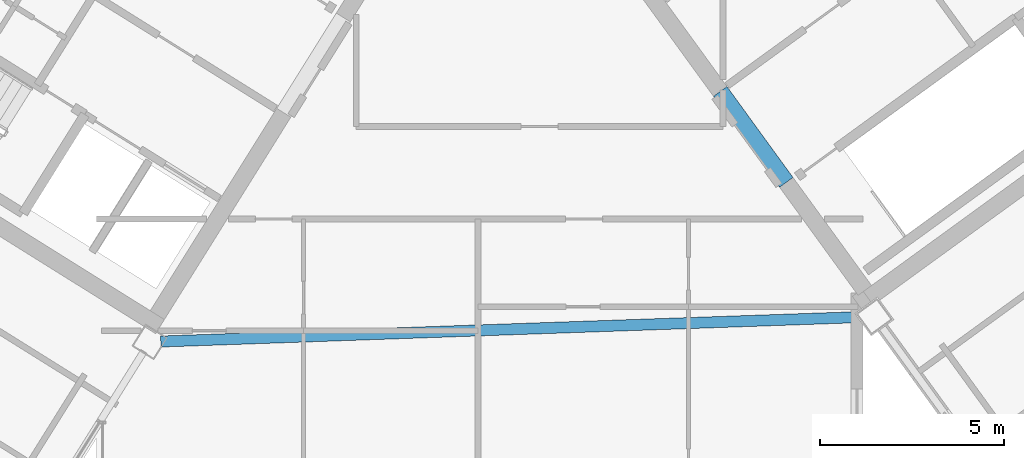
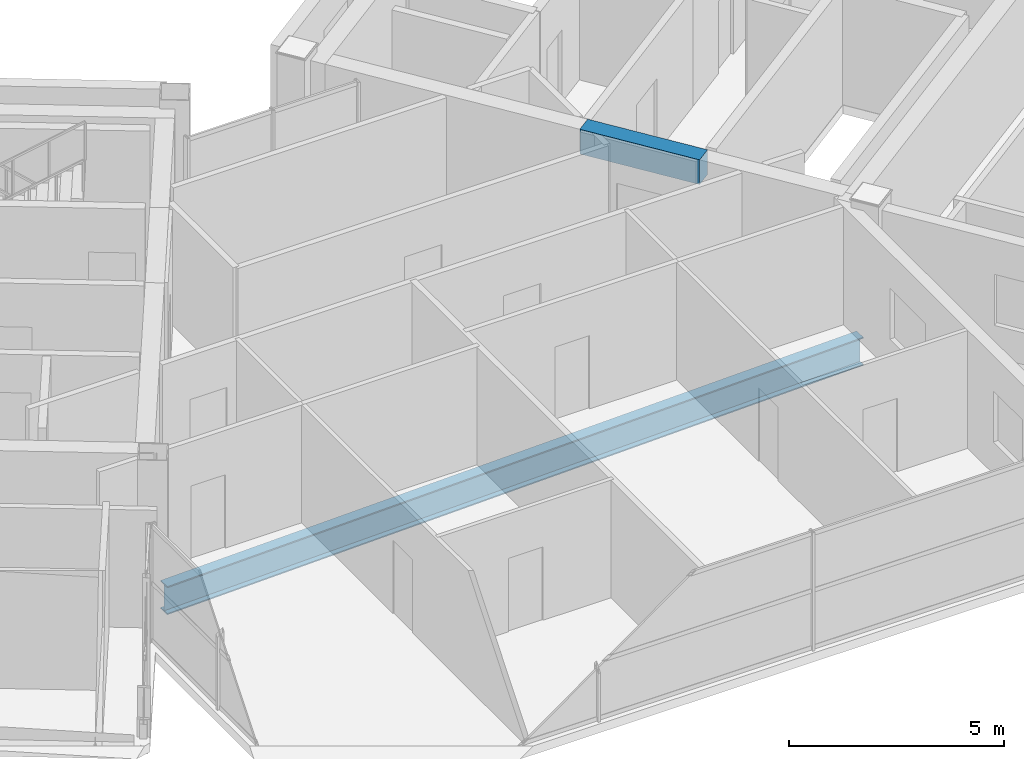
# One storey, part 9 of 25: 2 beams.
"""IFC4 building model written with IfcOpenShell, lengths in metres."""

from ifc_helpers import new_model, si_unit, direction, frame, origin, origin_2d, place, context, subcontext, project, spatial, rectangle, i_section, extrude, source, transform, mapped, material, material_profile, profile_set, type_object, element, save


model = new_model("IFC4")

# Units and contexts
model_context = context("Model", 3, precision=1e-05, world=origin(), true_north=direction((0.0, 1.0)))
body_context = subcontext(model_context, "Body", "Model", "MODEL_VIEW")
ifc_project = project(units=[si_unit("LENGTHUNIT", "METRE"), si_unit("AREAUNIT", "SQUARE_METRE"), si_unit("VOLUMEUNIT", "CUBIC_METRE"), si_unit("PLANEANGLEUNIT", "RADIAN"), si_unit("MASSUNIT", "GRAM", prefix="KILO")], contexts=[model_context])

# Site, building, storey
site_placement = place(None, origin())
site = spatial("IfcSite", under=ifc_project, at=site_placement, CompositionType="ELEMENT")
building_placement = place(site_placement, origin())
building = spatial("IfcBuilding", under=site, at=building_placement, Name="Tlacorven Tower", CompositionType="ELEMENT")
storey_placement = place(building_placement, frame((0.0, 0.0, 259.199951171875)))
storey = spatial("IfcBuildingStorey", under=building, at=storey_placement, Name="L65", CompositionType="ELEMENT", Elevation=259.199951171875)

# Beams
ifc_material_1 = material(Name="Concrete C60/75", Category="concrete")
ifc_material_profile_1 = material_profile(ifc_material_1, rectangle(XDim=0.449951171875, YDim=0.699951171875, at=origin_2d()), Name="RC 450X700")
ifc_profile_set_1 = profile_set([ifc_material_profile_1], Name="Concrete C60/75")
beam_type_1 = type_object("IfcBeamType", Name="BM-LNT-700", PredefinedType="LINTEL", material=ifc_profile_set_1)
shared_shape_1 = source(origin(), body_context, "Body", "SweptSolid", [
    extrude(rectangle(XDim=0.449951171875, YDim=0.699951171875, at=origin_2d()), origin(), (0.0, 0.0, 1.0), 3.050048828125),
])
beam_1_placement = place(storey_placement, frame((50.318359375, 16.416015625, 3.0), z_axis=(-0.587776590479, 0.80902328748, 0.0), x_axis=(-0.80902328748, -0.587776590479, 0.0)))
element("IfcBeam", 1, at=beam_1_placement, inside=storey, type_object=beam_type_1, Name="L65 E core coupling lintel beam E1", PredefinedType="LINTEL", context=body_context, shape_type="MappedRepresentation", body=[
    mapped(shared_shape_1, transform((0.0, 0.0, 0.0), scale=1.0)),
])
ifc_material_2 = material(Name="Steel S355J2", Category="steel")
ifc_material_profile_2 = material_profile(ifc_material_2, i_section(OverallWidth=0.300048828125, OverallDepth=0.800048828125, WebThickness=0.017578125, FlangeThickness=0.032958984375, at=origin_2d()), Name="HEB 800")
ifc_profile_set_2 = profile_set([ifc_material_profile_2], Name="Steel S355J2")
beam_type_2 = type_object("IfcBeamType", Name="BM-POD-800", PredefinedType="BEAM", material=ifc_profile_set_2)
shared_shape_2 = source(origin(), body_context, "Body", "SweptSolid", [
    extrude(i_section(OverallWidth=0.300048828125, OverallDepth=0.800048828125, WebThickness=0.017578125, FlangeThickness=0.032958984375, at=origin_2d()), origin(), (0.0, 0.0, 1.0), 19.0712890625),
])
beam_2_placement = place(storey_placement, frame((33.345947265625, 12.097412109375, -0.64990234375), z_axis=(0.999390913919, 0.034897008138, 0.0), x_axis=(-0.034897008138, 0.999390913919, 0.0)))
element("IfcBeam", 2, at=beam_2_placement, inside=storey, type_object=beam_type_2, Name="L65 Knuckle Link Girder 2", PredefinedType="BEAM", context=body_context, shape_type="MappedRepresentation", body=[
    mapped(shared_shape_2, transform((0.0, 0.0, 0.0), scale=1.0)),
])

save(model, "model.ifc")
